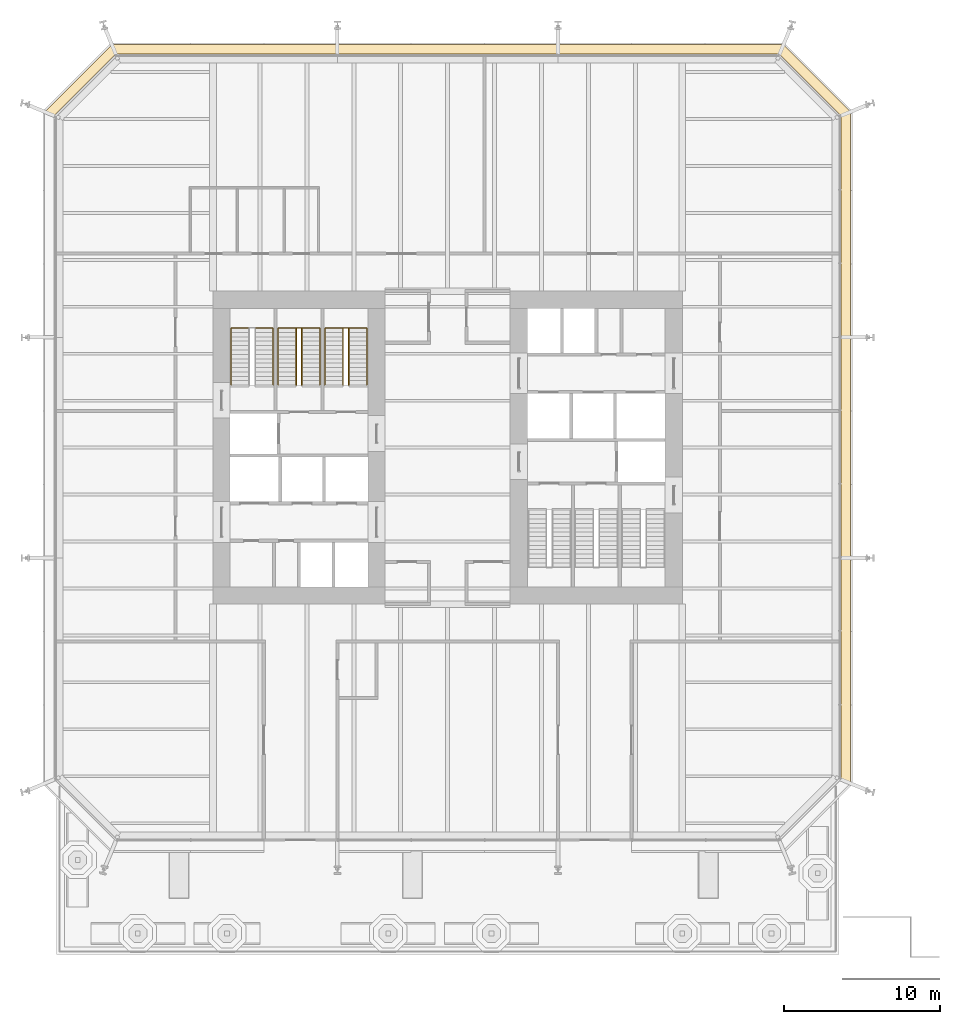
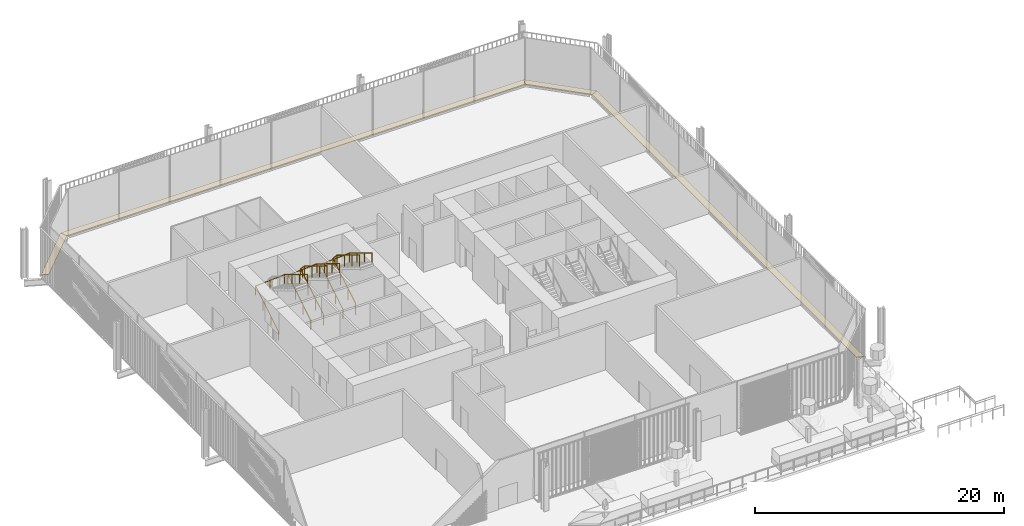
# One storey, part 20 of 21: 5 railings, 4 coverings.
"""IFC4 building model written with IfcOpenShell, lengths in metres."""

from ifc_helpers import new_model, si_unit, direction, frame, origin, origin_2d, place, context, subcontext, project, spatial, polyline, circle, outline, extrude, material, layer, layer_set, type_object, element, save


model = new_model("IFC4")

# Units and contexts
model_context = context("Model", 3, precision=1e-05, world=origin(), true_north=direction((0.0, 1.0)))
body_context = subcontext(model_context, "Body", "Model", "MODEL_VIEW")
ifc_project = project(units=[si_unit("LENGTHUNIT", "METRE"), si_unit("AREAUNIT", "SQUARE_METRE"), si_unit("VOLUMEUNIT", "CUBIC_METRE"), si_unit("PLANEANGLEUNIT", "RADIAN"), si_unit("MASSUNIT", "GRAM", prefix="KILO")], contexts=[model_context])

# Site, building, storey
site_placement = place(None, origin())
site = spatial("IfcSite", under=ifc_project, at=site_placement, CompositionType="ELEMENT")
building_placement = place(site_placement, origin())
building = spatial("IfcBuilding", under=site, at=building_placement, Name="Millrace Tower", CompositionType="ELEMENT")
storey_placement = place(building_placement, frame((0.0, 0.0, 16.10009765625)))
storey = spatial("IfcBuildingStorey", under=building, at=storey_placement, Name="L04", CompositionType="ELEMENT", Elevation=16.10009765625)

# Coverings
ifc_material_1 = material(Name="Steel ASTM A36", Category="steel")
ifc_layer = layer(ifc_material_1, 0.050048828125)
ifc_layer_set = layer_set([ifc_layer], Name="Steel ASTM A36")
covering_type = type_object("IfcCoveringType", Name="CAVITY CATWALK steel grating", PredefinedType="FLOORING", material=ifc_layer_set)
placement = place(storey_placement, frame((0.0, 0.0, 0.099853515625)))
element("IfcCovering", 1, at=placement, inside=storey, type_object=covering_type, Name="Cavity catwalk grating A-F04 L04 1", PredefinedType="FLOORING", context=body_context, shape_type="SweptSolid", body=[
    extrude(outline(polyline([(25.75, -21.460693359375), (25.75, 21.460693359375), (25.14990234375, 21.212158203125), (25.14990234375, -21.212158203125), (25.75, -21.460693359375)])), origin(), (0.0, 0.0, 1.0), 0.050048828125),
])
element("IfcCovering", 2, at=placement, inside=storey, type_object=covering_type, Name="Cavity catwalk grating A-F05 L04 1", PredefinedType="FLOORING", context=body_context, shape_type="SweptSolid", body=[
    extrude(outline(polyline([(25.75, 21.460693359375), (21.460693359375, 25.75), (21.212158203125, 25.14990234375), (25.14990234375, 21.212158203125), (25.75, 21.460693359375)])), origin(), (0.0, 0.0, 1.0), 0.050048828125),
])
element("IfcCovering", 3, at=placement, inside=storey, type_object=covering_type, Name="Cavity catwalk grating A-F06 L04 1", PredefinedType="FLOORING", context=body_context, shape_type="SweptSolid", body=[
    extrude(outline(polyline([(21.460693359375, 25.75), (-21.460693359375, 25.75), (-21.212158203125, 25.14990234375), (21.212158203125, 25.14990234375), (21.460693359375, 25.75)])), origin(), (0.0, 0.0, 1.0), 0.050048828125),
])
element("IfcCovering", 4, at=placement, inside=storey, type_object=covering_type, Name="Cavity catwalk grating A-F07 L04 1", PredefinedType="FLOORING", context=body_context, shape_type="SweptSolid", body=[
    extrude(outline(polyline([(-21.460693359375, 25.75), (-25.75, 21.460693359375), (-25.14990234375, 21.212158203125), (-21.212158203125, 25.14990234375), (-21.460693359375, 25.75)])), origin(), (0.0, 0.0, 1.0), 0.050048828125),
])

# Railings
ifc_material_2 = material(Name="Stainless steel ASTM A240 type 316", Category="steel")
railing_type_1 = type_object("IfcRailingType", Name="Stair guard 1100", PredefinedType="GUARDRAIL", material=ifc_material_2)
for number, where, name in (
    (5, (-9.679931640625, 4.0, 0.17138671875), "Stair guard 2 W L04"),
    (6, (-6.679931640625, 4.0, 0.17138671875), "Stair guard 3 W L04"),
):
    element("IfcRailing", number, at=place(storey_placement, frame(where)), inside=storey, type_object=railing_type_1, Name=name, PredefinedType="GUARDRAIL", context=body_context, shape_type="SweptSolid", body=[
        extrude(circle(Radius=0.02392578125, at=origin_2d()), frame((0.0, 0.0, 1.076171875), z_axis=(0.0, 0.852850264322, 0.5221555579), x_axis=(-1.0, 0.0, 0.0)), (0.0, 0.0, 1.0), 4.267822265625),
        extrude(circle(Radius=0.02392578125, at=origin_2d()), frame((0.0, 3.639892578125, 3.3046875), z_axis=(0.902837873996, 0.0, 0.429981131306), x_axis=(0.0, 1.0, 0.0)), (0.0, 0.0, 1.0), 0.398681640625),
        extrude(circle(Radius=0.02392578125, at=origin_2d()), frame((0.35986328125, 3.639892578125, 3.47607421875), z_axis=(0.0, -0.852850264322, 0.5221555579), x_axis=(1.0, 0.0, 0.0)), (0.0, 0.0, 1.0), 4.267822265625),
        extrude(circle(Radius=0.02099609375, at=origin_2d()), origin(), (0.0, 0.0, 1.0), 1.052001953125),
        extrude(circle(Radius=0.02099609375, at=origin_2d()), frame((0.0, 1.21337890625, 0.742919921875)), (0.0, 0.0, 1.0), 1.052001953125),
        extrude(circle(Radius=0.02099609375, at=origin_2d()), frame((0.0, 2.426513671875, 1.485595703125)), (0.0, 0.0, 1.0), 1.052001953125),
        extrude(circle(Radius=0.02099609375, at=origin_2d()), frame((0.0, 3.639892578125, 2.228515625)), (0.0, 0.0, 1.0), 1.052001953125),
        extrude(circle(Radius=0.02099609375, at=origin_2d()), frame((0.35986328125, 3.639892578125, 2.39990234375)), (0.0, 0.0, 1.0), 1.052001953125),
        extrude(circle(Radius=0.02099609375, at=origin_2d()), frame((0.35986328125, 2.426513671875, 3.142822265625)), (0.0, 0.0, 1.0), 1.052001953125),
        extrude(circle(Radius=0.02099609375, at=origin_2d()), frame((0.35986328125, 1.21337890625, 3.885498046875)), (0.0, 0.0, 1.0), 1.052001953125),
        extrude(circle(Radius=0.02099609375, at=origin_2d()), frame((0.35986328125, 0.0, 4.62841796875)), (0.0, 0.0, 1.0), 1.052001953125),
    ])
ifc_material_3 = material(Name="Stainless steel ASTM A240 type 316", Category="steel")
railing_type_2 = type_object("IfcRailingType", Name="Stair handrail 900", PredefinedType="HANDRAIL", material=ifc_material_3)
railing_1_placement = place(storey_placement, frame((-13.840087890625, 4.0, 0.17138671875)))
element("IfcRailing", 7, at=railing_1_placement, inside=storey, type_object=railing_type_2, Name="Stair handrail 1 W L04", PredefinedType="HANDRAIL", context=body_context, shape_type="SweptSolid", body=[
    extrude(circle(Radius=0.02392578125, at=origin_2d()), frame((0.0, 0.0, 0.8759765625), z_axis=(0.0, 0.852850264322, 0.5221555579), x_axis=(-1.0, 0.0, 0.0)), (0.0, 0.0, 1.0), 4.267822265625),
    extrude(circle(Radius=0.02392578125, at=origin_2d()), frame((0.0, 3.639892578125, 3.1044921875), z_axis=(0.9979616988, 0.0, 0.063815732607), x_axis=(0.0, 1.0, 0.0)), (0.0, 0.0, 1.0), 2.685546875),
    extrude(circle(Radius=0.02392578125, at=origin_2d()), frame((2.68017578125, 3.639892578125, 3.27587890625), z_axis=(0.0, -0.852850264322, 0.5221555579), x_axis=(1.0, 0.0, 0.0)), (0.0, 0.0, 1.0), 4.267822265625),
    extrude(circle(Radius=0.02099609375, at=origin_2d()), origin(), (0.0, 0.0, 1.0), 0.851806640625),
    extrude(circle(Radius=0.02099609375, at=origin_2d()), frame((0.0, 1.21337890625, 0.742919921875)), (0.0, 0.0, 1.0), 0.851806640625),
    extrude(circle(Radius=0.02099609375, at=origin_2d()), frame((0.0, 2.426513671875, 1.485595703125)), (0.0, 0.0, 1.0), 0.851806640625),
    extrude(circle(Radius=0.02099609375, at=origin_2d()), frame((0.0, 3.639892578125, 2.228515625)), (0.0, 0.0, 1.0), 0.851806640625),
    extrude(circle(Radius=0.02099609375, at=origin_2d()), frame((1.340087890625, 3.639892578125, 2.314208984375)), (0.0, 0.0, 1.0), 0.851806640625),
    extrude(circle(Radius=0.02099609375, at=origin_2d()), frame((2.68017578125, 3.639892578125, 2.39990234375)), (0.0, 0.0, 1.0), 0.851806640625),
    extrude(circle(Radius=0.02099609375, at=origin_2d()), frame((2.68017578125, 2.426513671875, 3.142822265625)), (0.0, 0.0, 1.0), 0.851806640625),
    extrude(circle(Radius=0.02099609375, at=origin_2d()), frame((2.68017578125, 1.21337890625, 3.885498046875)), (0.0, 0.0, 1.0), 0.851806640625),
    extrude(circle(Radius=0.02099609375, at=origin_2d()), frame((2.68017578125, 0.0, 4.62841796875)), (0.0, 0.0, 1.0), 0.851806640625),
])
railing_2_placement = place(storey_placement, frame((-10.840087890625, 4.0, 0.17138671875)))
element("IfcRailing", 8, at=railing_2_placement, inside=storey, type_object=railing_type_2, Name="Stair handrail 2 W L04", PredefinedType="HANDRAIL", context=body_context, shape_type="SweptSolid", body=[
    extrude(circle(Radius=0.02392578125, at=origin_2d()), frame((0.0, 0.0, 0.8759765625), z_axis=(0.0, 0.852850264322, 0.5221555579), x_axis=(-1.0, 0.0, 0.0)), (0.0, 0.0, 1.0), 4.267822265625),
    extrude(circle(Radius=0.02392578125, at=origin_2d()), frame((0.0, 3.639892578125, 3.1044921875), z_axis=(0.9979616988, 0.0, 0.063815732607), x_axis=(0.0, 1.0, 0.0)), (0.0, 0.0, 1.0), 2.685546875),
    extrude(circle(Radius=0.02392578125, at=origin_2d()), frame((2.68017578125, 3.639892578125, 3.27587890625), z_axis=(0.0, -0.852850264322, 0.5221555579), x_axis=(1.0, 0.0, 0.0)), (0.0, 0.0, 1.0), 4.267822265625),
    extrude(circle(Radius=0.02099609375, at=origin_2d()), origin(), (0.0, 0.0, 1.0), 0.851806640625),
    extrude(circle(Radius=0.02099609375, at=origin_2d()), frame((0.0, 1.21337890625, 0.742919921875)), (0.0, 0.0, 1.0), 0.851806640625),
    extrude(circle(Radius=0.02099609375, at=origin_2d()), frame((0.0, 2.426513671875, 1.485595703125)), (0.0, 0.0, 1.0), 0.851806640625),
    extrude(circle(Radius=0.02099609375, at=origin_2d()), frame((0.0, 3.639892578125, 2.228515625)), (0.0, 0.0, 1.0), 0.851806640625),
    extrude(circle(Radius=0.02099609375, at=origin_2d()), frame((1.340087890625, 3.639892578125, 2.314208984375)), (0.0, 0.0, 1.0), 0.851806640625),
    extrude(circle(Radius=0.02099609375, at=origin_2d()), frame((2.68017578125, 3.639892578125, 2.39990234375)), (0.0, 0.0, 1.0), 0.851806640625),
    extrude(circle(Radius=0.02099609375, at=origin_2d()), frame((2.68017578125, 2.426513671875, 3.142822265625)), (0.0, 0.0, 1.0), 0.851806640625),
    extrude(circle(Radius=0.02099609375, at=origin_2d()), frame((2.68017578125, 1.21337890625, 3.885498046875)), (0.0, 0.0, 1.0), 0.851806640625),
    extrude(circle(Radius=0.02099609375, at=origin_2d()), frame((2.68017578125, 0.0, 4.62841796875)), (0.0, 0.0, 1.0), 0.851806640625),
])
railing_3_placement = place(storey_placement, frame((-7.840087890625, 4.0, 0.17138671875)))
element("IfcRailing", 9, at=railing_3_placement, inside=storey, type_object=railing_type_2, Name="Stair handrail 3 W L04", PredefinedType="HANDRAIL", context=body_context, shape_type="SweptSolid", body=[
    extrude(circle(Radius=0.02392578125, at=origin_2d()), frame((0.0, 0.0, 0.8759765625), z_axis=(0.0, 0.852850264322, 0.5221555579), x_axis=(-1.0, 0.0, 0.0)), (0.0, 0.0, 1.0), 4.267822265625),
    extrude(circle(Radius=0.02392578125, at=origin_2d()), frame((0.0, 3.639892578125, 3.1044921875), z_axis=(0.9979616988, 0.0, 0.063815732607), x_axis=(0.0, 1.0, 0.0)), (0.0, 0.0, 1.0), 2.685546875),
    extrude(circle(Radius=0.02392578125, at=origin_2d()), frame((2.68017578125, 3.639892578125, 3.27587890625), z_axis=(0.0, -0.852850264322, 0.5221555579), x_axis=(1.0, 0.0, 0.0)), (0.0, 0.0, 1.0), 4.267822265625),
    extrude(circle(Radius=0.02099609375, at=origin_2d()), origin(), (0.0, 0.0, 1.0), 0.851806640625),
    extrude(circle(Radius=0.02099609375, at=origin_2d()), frame((0.0, 1.21337890625, 0.742919921875)), (0.0, 0.0, 1.0), 0.851806640625),
    extrude(circle(Radius=0.02099609375, at=origin_2d()), frame((0.0, 2.426513671875, 1.485595703125)), (0.0, 0.0, 1.0), 0.851806640625),
    extrude(circle(Radius=0.02099609375, at=origin_2d()), frame((0.0, 3.639892578125, 2.228515625)), (0.0, 0.0, 1.0), 0.851806640625),
    extrude(circle(Radius=0.02099609375, at=origin_2d()), frame((1.340087890625, 3.639892578125, 2.314208984375)), (0.0, 0.0, 1.0), 0.851806640625),
    extrude(circle(Radius=0.02099609375, at=origin_2d()), frame((2.68017578125, 3.639892578125, 2.39990234375)), (0.0, 0.0, 1.0), 0.851806640625),
    extrude(circle(Radius=0.02099609375, at=origin_2d()), frame((2.68017578125, 2.426513671875, 3.142822265625)), (0.0, 0.0, 1.0), 0.851806640625),
    extrude(circle(Radius=0.02099609375, at=origin_2d()), frame((2.68017578125, 1.21337890625, 3.885498046875)), (0.0, 0.0, 1.0), 0.851806640625),
    extrude(circle(Radius=0.02099609375, at=origin_2d()), frame((2.68017578125, 0.0, 4.62841796875)), (0.0, 0.0, 1.0), 0.851806640625),
])

save(model, "model.ifc")
